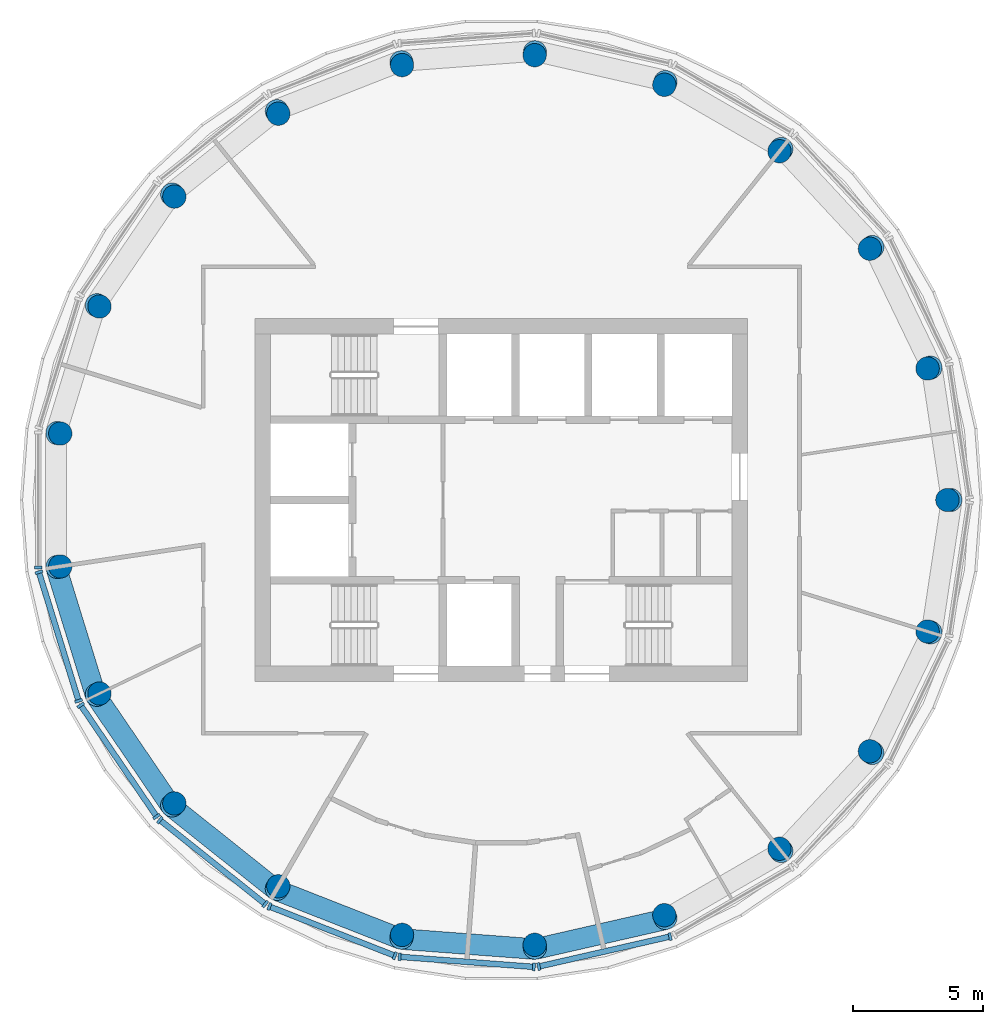
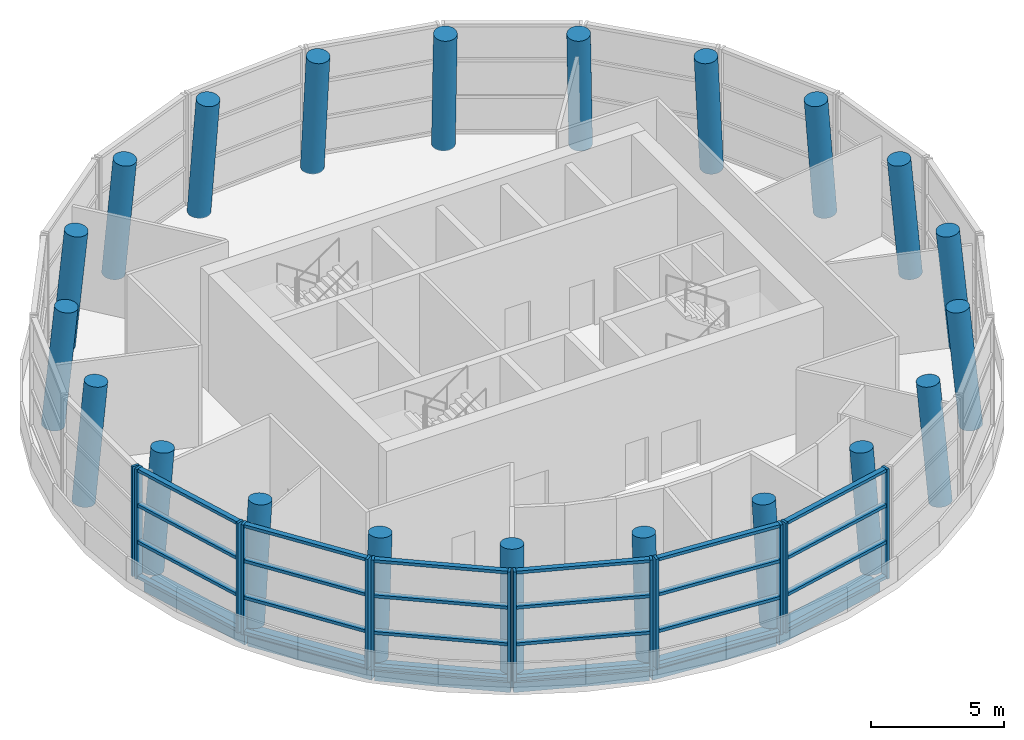
# One storey, part 1 of 11: 37 members, 21 columns, 6 beams, 7 elements without a shape of their own.
"""IFC4 building model written with IfcOpenShell, lengths in metres."""

from ifc_helpers import new_model, si_unit, direction, frame, origin, origin_2d, place, context, subcontext, project, spatial, rectangle, circle, extrude, material, material_profile, profile_set, type_object, element, aggregate, save


model = new_model("IFC4")

# Units and contexts
model_context = context("Model", 3, precision=1e-05, world=origin(), true_north=direction((0.0, 1.0)))
body_context = subcontext(model_context, "Body", "Model", "MODEL_VIEW")
ifc_project = project(units=[si_unit("LENGTHUNIT", "METRE"), si_unit("AREAUNIT", "SQUARE_METRE"), si_unit("VOLUMEUNIT", "CUBIC_METRE"), si_unit("PLANEANGLEUNIT", "RADIAN"), si_unit("MASSUNIT", "GRAM", prefix="KILO")], contexts=[model_context])

# Site, building, storey
site_placement = place(None, origin())
site = spatial("IfcSite", under=ifc_project, at=site_placement, CompositionType="ELEMENT")
building_placement = place(site_placement, origin())
building = spatial("IfcBuilding", under=site, at=building_placement, Name="Tracery Tower", CompositionType="ELEMENT")
storey_placement = place(building_placement, frame((0.0, 0.0, 346.800048828125)))
storey = spatial("IfcBuildingStorey", under=building, at=storey_placement, Name="L89", CompositionType="ELEMENT", Elevation=346.800048828125)

# Columns
ifc_material_1 = material(Name="Concrete C40/50", Category="concrete")
ifc_material_profile_1 = material_profile(ifc_material_1, circle(Radius=0.449951171875, at=origin_2d()), Name="RC D900")
ifc_profile_set_1 = profile_set([ifc_material_profile_1], Name="Concrete C40/50")
column_type = type_object("IfcColumnType", Name="Ring 2 column 900", PredefinedType="COLUMN", material=ifc_profile_set_1)
column_1_placement = place(storey_placement, frame((17.322265625, 0.0, 0.0), z_axis=(-0.092225509473, 0.0, 0.995738146001), x_axis=(0.0, -1.0, 0.0)))
element("IfcColumn", 1, at=column_1_placement, inside=storey, type_object=column_type, Name="Ring 2 column 00 at L89", PredefinedType="COLUMN", context=body_context, shape_type="SweptSolid", body=[
    extrude(circle(Radius=0.449951171875, at=origin_2d()), origin(), (0.0, 0.0, 1.0), 5.4189453125),
])
column_2_placement = place(storey_placement, frame((16.552490234375, 5.105712890625, 0.0), z_axis=(-0.088080951743, -0.027167679745, 0.995742769553), x_axis=(0.294738376575, -0.955577987071, 0.0)))
element("IfcColumn", 2, at=column_2_placement, inside=storey, type_object=column_type, Name="Ring 2 column 01 at L89", PredefinedType="COLUMN", context=body_context, shape_type="SweptSolid", body=[
    extrude(circle(Radius=0.449951171875, at=origin_2d()), origin(), (0.0, 0.0, 1.0), 5.418701171875),
])
for number, where, z_axis, x_axis, name in (
    (3, (14.312255859375, 9.7578125, 0.0), (-0.076186570657, -0.051902382849, 0.995741808455), (0.563018314806, -0.826444418695, 0.0), "Ring 2 column 02 at L89"),
    (4, (10.80029296875, 13.54296875, 0.0), (-0.057489004838, -0.072086526443, 0.995740200568), (0.781821340609, -0.623502519136, 0.0), "Ring 2 column 03 at L89"),
    (5, (6.32861328125, 16.124755859375, 0.0), (-0.033700439038, -0.085827989796, 0.995739843823), (0.930816807588, -0.36548607458, 0.0), "Ring 2 column 04 at L89"),
):
    element("IfcColumn", number, at=place(storey_placement, frame(where, z_axis=z_axis, x_axis=x_axis)), inside=storey, type_object=column_type, Name=name, PredefinedType="COLUMN", context=body_context, shape_type="SweptSolid", body=[
        extrude(circle(Radius=0.449951171875, at=origin_2d()), origin(), (0.0, 0.0, 1.0), 5.4189453125),
    ])
column_3_placement = place(storey_placement, frame((1.29443359375, 17.273681640625, 0.0), z_axis=(-0.006893296248, -0.091910616643, 0.995743401191), x_axis=(0.997199309888, -0.074789948242, 0.0)))
element("IfcColumn", 6, at=column_3_placement, inside=storey, type_object=column_type, Name="Ring 2 column 05 at L89", PredefinedType="COLUMN", context=body_context, shape_type="SweptSolid", body=[
    extrude(circle(Radius=0.449951171875, at=origin_2d()), origin(), (0.0, 0.0, 1.0), 5.418701171875),
])
for number, where, z_axis, x_axis, name in (
    (7, (-3.8544921875, 16.887939453125, 0.0), (0.020499629384, -0.089882990378, 0.995741338519), (0.974964553526, 0.222360336769, 0.0), "Ring 2 column 06 at L89"),
    (8, (-8.6611328125, 15.00146484375, 0.0), (0.046090400637, -0.079835962785, 0.99574188122), (0.866039090965, 0.499976292358, 0.0), "Ring 2 column 07 at L89"),
):
    element("IfcColumn", number, at=place(storey_placement, frame(where, z_axis=z_axis, x_axis=x_axis)), inside=storey, type_object=column_type, Name=name, PredefinedType="COLUMN", context=body_context, shape_type="SweptSolid", body=[
        extrude(circle(Radius=0.449951171875, at=origin_2d()), origin(), (0.0, 0.0, 1.0), 5.4189453125),
    ])
column_4_placement = place(storey_placement, frame((-12.697998046875, 11.781982421875, 0.0), z_axis=(0.067581344547, -0.06267043351, 0.99574353055), x_axis=(0.679963457393, 0.733246000064, 0.0)))
element("IfcColumn", 9, at=column_4_placement, inside=storey, type_object=column_type, Name="Ring 2 column 08 at L89", PredefinedType="COLUMN", context=body_context, shape_type="SweptSolid", body=[
    extrude(circle(Radius=0.449951171875, at=origin_2d()), origin(), (0.0, 0.0, 1.0), 5.418701171875),
])
column_5_placement = place(storey_placement, frame((-15.606689453125, 7.515869140625, 0.0), z_axis=(0.083079662364, -0.040007993589, 0.995739489099), x_axis=(0.433874380106, 0.900973374905, 0.0)))
element("IfcColumn", 10, at=column_5_placement, inside=storey, type_object=column_type, Name="Ring 2 column 09 at L89", PredefinedType="COLUMN", context=body_context, shape_type="SweptSolid", body=[
    extrude(circle(Radius=0.449951171875, at=origin_2d()), origin(), (0.0, 0.0, 1.0), 5.4189453125),
])
for number, where, z_axis, x_axis, name in (
    (11, (-17.128662109375, 2.581787109375, 0.0), (0.091144644422, -0.013741530672, 0.995742850403), (0.149081366419, 0.988824932021, 0.0), "Ring 2 column 10 at L89"),
    (12, (-17.128662109375, -2.581787109375, 0.0), (0.091144644422, 0.013741530672, 0.995742850403), (-0.149081366419, 0.988824932021, 0.0), "Ring 2 column 11 at L89"),
):
    element("IfcColumn", number, at=place(storey_placement, frame(where, z_axis=z_axis, x_axis=x_axis)), inside=storey, type_object=column_type, Name=name, PredefinedType="COLUMN", context=body_context, shape_type="SweptSolid", body=[
        extrude(circle(Radius=0.449951171875, at=origin_2d()), origin(), (0.0, 0.0, 1.0), 5.418701171875),
    ])
column_6_placement = place(storey_placement, frame((-15.606689453125, -7.515869140625, 0.0), z_axis=(0.083079662364, 0.040007993589, 0.995739489099), x_axis=(-0.433874380106, 0.900973374905, 0.0)))
element("IfcColumn", 13, at=column_6_placement, inside=storey, type_object=column_type, Name="Ring 2 column 12 at L89", PredefinedType="COLUMN", context=body_context, shape_type="SweptSolid", body=[
    extrude(circle(Radius=0.449951171875, at=origin_2d()), origin(), (0.0, 0.0, 1.0), 5.4189453125),
])
column_7_placement = place(storey_placement, frame((-12.697998046875, -11.781982421875, 0.0), z_axis=(0.067581344547, 0.06267043351, 0.99574353055), x_axis=(-0.679963457393, 0.733246000064, 0.0)))
element("IfcColumn", 14, at=column_7_placement, inside=storey, type_object=column_type, Name="Ring 2 column 13 at L89", PredefinedType="COLUMN", context=body_context, shape_type="SweptSolid", body=[
    extrude(circle(Radius=0.449951171875, at=origin_2d()), origin(), (0.0, 0.0, 1.0), 5.418701171875),
])
for number, where, z_axis, x_axis, name in (
    (15, (-8.6611328125, -15.00146484375, 0.0), (0.046090400637, 0.079835962785, 0.99574188122), (-0.866039090965, 0.499976292358, 0.0), "Ring 2 column 14 at L89"),
    (16, (-3.8544921875, -16.887939453125, 0.0), (0.020499629384, 0.089882990378, 0.995741338519), (-0.974964553526, 0.222360336769, 0.0), "Ring 2 column 15 at L89"),
):
    element("IfcColumn", number, at=place(storey_placement, frame(where, z_axis=z_axis, x_axis=x_axis)), inside=storey, type_object=column_type, Name=name, PredefinedType="COLUMN", context=body_context, shape_type="SweptSolid", body=[
        extrude(circle(Radius=0.449951171875, at=origin_2d()), origin(), (0.0, 0.0, 1.0), 5.4189453125),
    ])
column_8_placement = place(storey_placement, frame((1.29443359375, -17.273681640625, 0.0), z_axis=(-0.006893296248, 0.091910616643, 0.995743401191), x_axis=(-0.997199309888, -0.074789948242, 0.0)))
element("IfcColumn", 17, at=column_8_placement, inside=storey, type_object=column_type, Name="Ring 2 column 16 at L89", PredefinedType="COLUMN", context=body_context, shape_type="SweptSolid", body=[
    extrude(circle(Radius=0.449951171875, at=origin_2d()), origin(), (0.0, 0.0, 1.0), 5.418701171875),
])
for number, where, z_axis, x_axis, name in (
    (18, (6.32861328125, -16.124755859375, 0.0), (-0.033700439038, 0.085827989796, 0.995739843823), (-0.930816807588, -0.36548607458, 0.0), "Ring 2 column 17 at L89"),
    (19, (10.80029296875, -13.54296875, 0.0), (-0.057489004838, 0.072086526443, 0.995740200568), (-0.781821340609, -0.623502519136, 0.0), "Ring 2 column 18 at L89"),
    (20, (14.312255859375, -9.7578125, 0.0), (-0.076186570657, 0.051902382849, 0.995741808455), (-0.563018314806, -0.826444418695, 0.0), "Ring 2 column 19 at L89"),
):
    element("IfcColumn", number, at=place(storey_placement, frame(where, z_axis=z_axis, x_axis=x_axis)), inside=storey, type_object=column_type, Name=name, PredefinedType="COLUMN", context=body_context, shape_type="SweptSolid", body=[
        extrude(circle(Radius=0.449951171875, at=origin_2d()), origin(), (0.0, 0.0, 1.0), 5.4189453125),
    ])
column_9_placement = place(storey_placement, frame((16.552490234375, -5.105712890625, 0.0), z_axis=(-0.088080951743, 0.027167679745, 0.995742769553), x_axis=(-0.294738376575, -0.955577987071, 0.0)))
element("IfcColumn", 21, at=column_9_placement, inside=storey, type_object=column_type, Name="Ring 2 column 20 at L89", PredefinedType="COLUMN", context=body_context, shape_type="SweptSolid", body=[
    extrude(circle(Radius=0.449951171875, at=origin_2d()), origin(), (0.0, 0.0, 1.0), 5.418701171875),
])

# Curtain wall, member
ifc_material_2 = material(Name="Aluminium curtain wall with tinted glass", Category="aluminium")
curtain_wall_type = type_object("IfcCurtainWallType", Name="Observation lower deck glazing curtain wall", PredefinedType="NOTDEFINED", material=ifc_material_2)
curtain_wall_1_placement = place(storey_placement, origin())
curtain_wall_1 = element("IfcCurtainWall", 22, at=curtain_wall_1_placement, inside=storey, type_object=curtain_wall_type, Name="Observation lower deck glazing run 10", PredefinedType="NOTDEFINED")
ifc_material_3 = material(Name="Aluminium, bronze anodised", Category="aluminium")
ifc_material_profile_2 = material_profile(ifc_material_3, rectangle(XDim=0.300048828125, YDim=0.110107421875, at=origin_2d()), Name="Observation lower deck glazing mullion 110 x 300")
ifc_profile_set_2 = profile_set([ifc_material_profile_2], Name="Aluminium, bronze anodised")
member_type_1 = type_object("IfcMemberType", Name="Observation lower deck glazing mullion 110 x 300", PredefinedType="MULLION", material=ifc_profile_set_2)
member_1_placement = place(storey_placement, frame((-17.870361328125, -2.598388671875, 0.0), z_axis=(0.0, 0.0, 1.0), x_axis=(1.0, 0.0, 0.0)))
member_1 = element("IfcMember", 23, at=member_1_placement, type_object=member_type_1, Name="CWB4 mullion 2", PredefinedType="MULLION", context=body_context, shape_type="SweptSolid", body=[
    extrude(rectangle(XDim=0.300048828125, YDim=0.110107421875, at=origin_2d()), origin(), (0.0, 0.0, 1.0), 5.050048828125),
])
aggregate(curtain_wall_1, [member_1])

# Curtain wall, members
curtain_wall_2_placement = place(storey_placement, origin())
curtain_wall_2 = element("IfcCurtainWall", 24, at=curtain_wall_2_placement, inside=storey, type_object=curtain_wall_type, Name="Observation lower deck glazing run 11", PredefinedType="NOTDEFINED")
member_2_placement = place(storey_placement, frame((-17.84228515625, -2.7841796875, 0.0), z_axis=(0.0, 0.0, 1.0), x_axis=(0.95557221572, 0.29475708735, 0.0)))
member_2 = element("IfcMember", 25, at=member_2_placement, type_object=member_type_1, Name="CWB4 mullion 1", PredefinedType="MULLION", context=body_context, shape_type="SweptSolid", body=[
    extrude(rectangle(XDim=0.300048828125, YDim=0.110107421875, at=origin_2d()), origin(), (0.0, 0.0, 1.0), 5.050048828125),
])
member_3_placement = place(storey_placement, frame((-16.310546875, -7.75048828125, 0.0), z_axis=(0.0, 0.0, 1.0), x_axis=(0.95557221572, 0.29475708735, 0.0)))
member_3 = element("IfcMember", 26, at=member_3_placement, type_object=member_type_1, Name="CWB4 mullion 2", PredefinedType="MULLION", context=body_context, shape_type="SweptSolid", body=[
    extrude(rectangle(XDim=0.300048828125, YDim=0.110107421875, at=origin_2d()), origin(), (0.0, 0.0, 1.0), 5.050048828125),
])

curtain_wall_3_placement = place(storey_placement, origin())
curtain_wall_3 = element("IfcCurtainWall", 27, at=curtain_wall_3_placement, inside=storey, type_object=curtain_wall_type, Name="Observation lower deck glazing run 12", PredefinedType="NOTDEFINED")
member_4_placement = place(storey_placement, frame((-16.22900390625, -7.919677734375, 0.0), z_axis=(0.0, 0.0, 1.0), x_axis=(0.826236511609, 0.563323376832, 0.0)))
member_4 = element("IfcMember", 28, at=member_4_placement, type_object=member_type_1, Name="CWB4 mullion 1", PredefinedType="MULLION", context=body_context, shape_type="SweptSolid", body=[
    extrude(rectangle(XDim=0.300048828125, YDim=0.110107421875, at=origin_2d()), origin(), (0.0, 0.0, 1.0), 5.050048828125),
])
member_5_placement = place(storey_placement, frame((-13.30126953125, -12.2138671875, 0.0), z_axis=(0.0, 0.0, 1.0), x_axis=(0.826236511609, 0.563323376832, 0.0)))
member_5 = element("IfcMember", 29, at=member_5_placement, type_object=member_type_1, Name="CWB4 mullion 2", PredefinedType="MULLION", context=body_context, shape_type="SweptSolid", body=[
    extrude(rectangle(XDim=0.300048828125, YDim=0.110107421875, at=origin_2d()), origin(), (0.0, 0.0, 1.0), 5.050048828125),
])

curtain_wall_4_placement = place(storey_placement, origin())
curtain_wall_4 = element("IfcCurtainWall", 30, at=curtain_wall_4_placement, inside=storey, type_object=curtain_wall_type, Name="Observation lower deck glazing run 13", PredefinedType="NOTDEFINED")
member_6_placement = place(storey_placement, frame((-13.173583984375, -12.3515625, 0.0), z_axis=(0.0, 0.0, 1.0), x_axis=(0.623480980699, 0.781838517027, 0.0)))
member_6 = element("IfcMember", 31, at=member_6_placement, type_object=member_type_1, Name="CWB4 mullion 1", PredefinedType="MULLION", context=body_context, shape_type="SweptSolid", body=[
    extrude(rectangle(XDim=0.300048828125, YDim=0.110107421875, at=origin_2d()), origin(), (0.0, 0.0, 1.0), 5.050048828125),
])
member_7_placement = place(storey_placement, frame((-9.1103515625, -15.591796875, 0.0), z_axis=(0.0, 0.0, 1.0), x_axis=(0.623480980699, 0.781838517027, 0.0)))
member_7 = element("IfcMember", 32, at=member_7_placement, type_object=member_type_1, Name="CWB4 mullion 2", PredefinedType="MULLION", context=body_context, shape_type="SweptSolid", body=[
    extrude(rectangle(XDim=0.300048828125, YDim=0.110107421875, at=origin_2d()), origin(), (0.0, 0.0, 1.0), 5.050048828125),
])

curtain_wall_5_placement = place(storey_placement, origin())
curtain_wall_5 = element("IfcCurtainWall", 33, at=curtain_wall_5_placement, inside=storey, type_object=curtain_wall_type, Name="Observation lower deck glazing run 14", PredefinedType="NOTDEFINED")
member_8_placement = place(storey_placement, frame((-8.94775390625, -15.685791015625, 0.0), z_axis=(0.0, 0.0, 1.0), x_axis=(0.365343371728, 0.930872827369, 0.0)))
member_8 = element("IfcMember", 34, at=member_8_placement, type_object=member_type_1, Name="CWB4 mullion 1", PredefinedType="MULLION", context=body_context, shape_type="SweptSolid", body=[
    extrude(rectangle(XDim=0.300048828125, YDim=0.110107421875, at=origin_2d()), origin(), (0.0, 0.0, 1.0), 5.050048828125),
])
member_9_placement = place(storey_placement, frame((-4.10986328125, -17.58447265625, 0.0), z_axis=(0.0, 0.0, 1.0), x_axis=(0.365343371728, 0.930872827369, 0.0)))
member_9 = element("IfcMember", 35, at=member_9_placement, type_object=member_type_1, Name="CWB4 mullion 2", PredefinedType="MULLION", context=body_context, shape_type="SweptSolid", body=[
    extrude(rectangle(XDim=0.300048828125, YDim=0.110107421875, at=origin_2d()), origin(), (0.0, 0.0, 1.0), 5.050048828125),
])

curtain_wall_6_placement = place(storey_placement, origin())
curtain_wall_6 = element("IfcCurtainWall", 36, at=curtain_wall_6_placement, inside=storey, type_object=curtain_wall_type, Name="Observation lower deck glazing run 15", PredefinedType="NOTDEFINED")
member_10_placement = place(storey_placement, frame((-3.9267578125, -17.626220703125, 0.0), z_axis=(0.0, 0.0, 1.0), x_axis=(0.074730924986, 0.997203734876, 0.0)))
member_10 = element("IfcMember", 37, at=member_10_placement, type_object=member_type_1, Name="CWB4 mullion 1", PredefinedType="MULLION", context=body_context, shape_type="SweptSolid", body=[
    extrude(rectangle(XDim=0.300048828125, YDim=0.110107421875, at=origin_2d()), origin(), (0.0, 0.0, 1.0), 5.050048828125),
])
member_11_placement = place(storey_placement, frame((1.255859375, -18.0146484375, 0.0), z_axis=(0.0, 0.0, 1.0), x_axis=(0.074730924986, 0.997203734876, 0.0)))
member_11 = element("IfcMember", 38, at=member_11_placement, type_object=member_type_1, Name="CWB4 mullion 2", PredefinedType="MULLION", context=body_context, shape_type="SweptSolid", body=[
    extrude(rectangle(XDim=0.300048828125, YDim=0.110107421875, at=origin_2d()), origin(), (0.0, 0.0, 1.0), 5.050048828125),
])

curtain_wall_7_placement = place(storey_placement, origin())
curtain_wall_7 = element("IfcCurtainWall", 39, at=curtain_wall_7_placement, inside=storey, type_object=curtain_wall_type, Name="Observation lower deck glazing run 16", PredefinedType="NOTDEFINED")
member_12_placement = place(storey_placement, frame((1.443115234375, -18.00048828125, 0.0), z_axis=(0.0, 0.0, 1.0), x_axis=(-0.222533159769, 0.974925121639, 0.0)))
member_12 = element("IfcMember", 40, at=member_12_placement, type_object=member_type_1, Name="CWB4 mullion 1", PredefinedType="MULLION", context=body_context, shape_type="SweptSolid", body=[
    extrude(rectangle(XDim=0.300048828125, YDim=0.110107421875, at=origin_2d()), origin(), (0.0, 0.0, 1.0), 5.050048828125),
])
member_13_placement = place(storey_placement, frame((6.509765625, -16.843994140625, 0.0), z_axis=(0.0, 0.0, 1.0), x_axis=(-0.222533159769, 0.974925121639, 0.0)))
member_13 = element("IfcMember", 41, at=member_13_placement, type_object=member_type_1, Name="CWB4 mullion 2", PredefinedType="MULLION", context=body_context, shape_type="SweptSolid", body=[
    extrude(rectangle(XDim=0.300048828125, YDim=0.110107421875, at=origin_2d()), origin(), (0.0, 0.0, 1.0), 5.050048828125),
])

# Member
ifc_material_4 = material(Name="Aluminium, bronze anodised", Category="aluminium")
ifc_material_profile_3 = material_profile(ifc_material_4, rectangle(XDim=0.219970703125, YDim=0.139892578125, at=origin_2d()), Name="Observation lower deck glazing transom 140 x 220")
ifc_profile_set_3 = profile_set([ifc_material_profile_3], Name="Aluminium, bronze anodised")
member_type_2 = type_object("IfcMemberType", Name="Observation lower deck glazing transom 140 x 220", PredefinedType="USERDEFINED", material=ifc_profile_set_3)
member_14_placement = place(storey_placement, frame((-17.826171875, -2.8369140625, 0.070068359375), z_axis=(0.29476700144, -0.955569157551, 0.0), x_axis=(0.955569157551, 0.29476700144, 0.0)))
member_14 = element("IfcMember", 42, at=member_14_placement, type_object=member_type_2, Name="CWB4 transom 1.1", ObjectType="TRANSOM", PredefinedType="USERDEFINED", context=body_context, shape_type="SweptSolid", body=[
    extrude(rectangle(XDim=0.219970703125, YDim=0.139892578125, at=origin_2d()), origin(), (0.0, 0.0, 1.0), 5.087158203125),
])

member_15_placement = place(storey_placement, frame((-17.826171875, -2.8369140625, 1.683349609375), z_axis=(0.29476700144, -0.955569157551, 0.0), x_axis=(0.955569157551, 0.29476700144, 0.0)))
member_15 = element("IfcMember", 43, at=member_15_placement, type_object=member_type_2, Name="CWB4 transom 1.2", ObjectType="TRANSOM", PredefinedType="USERDEFINED", context=body_context, shape_type="SweptSolid", body=[
    extrude(rectangle(XDim=0.219970703125, YDim=0.139892578125, at=origin_2d()), origin(), (0.0, 0.0, 1.0), 5.087158203125),
])

member_16_placement = place(storey_placement, frame((-17.826171875, -2.8369140625, 3.36669921875), z_axis=(0.29476700144, -0.955569157551, 0.0), x_axis=(0.955569157551, 0.29476700144, 0.0)))
member_16 = element("IfcMember", 44, at=member_16_placement, type_object=member_type_2, Name="CWB4 transom 1.3", ObjectType="TRANSOM", PredefinedType="USERDEFINED", context=body_context, shape_type="SweptSolid", body=[
    extrude(rectangle(XDim=0.219970703125, YDim=0.139892578125, at=origin_2d()), origin(), (0.0, 0.0, 1.0), 5.087158203125),
])

member_17_placement = place(storey_placement, frame((-17.826171875, -2.8369140625, 4.97998046875), z_axis=(0.29476700144, -0.955569157551, 0.0), x_axis=(0.955569157551, 0.29476700144, 0.0)))
member_17 = element("IfcMember", 45, at=member_17_placement, type_object=member_type_2, Name="CWB4 transom 1.4", ObjectType="TRANSOM", PredefinedType="USERDEFINED", context=body_context, shape_type="SweptSolid", body=[
    extrude(rectangle(XDim=0.219970703125, YDim=0.139892578125, at=origin_2d()), origin(), (0.0, 0.0, 1.0), 5.087158203125),
])

aggregate(curtain_wall_2, [member_2, member_3, member_14, member_15, member_16, member_17])

member_18_placement = place(storey_placement, frame((-16.197998046875, -7.965087890625, 0.070068359375), z_axis=(0.563330867925, -0.826231404174, 0.0), x_axis=(0.826231404174, 0.563330867925, 0.0)))
member_18 = element("IfcMember", 46, at=member_18_placement, type_object=member_type_2, Name="CWB4 transom 1.1", ObjectType="TRANSOM", PredefinedType="USERDEFINED", context=body_context, shape_type="SweptSolid", body=[
    extrude(rectangle(XDim=0.219970703125, YDim=0.139892578125, at=origin_2d()), origin(), (0.0, 0.0, 1.0), 5.087158203125),
])

member_19_placement = place(storey_placement, frame((-16.197998046875, -7.965087890625, 1.683349609375), z_axis=(0.563330867925, -0.826231404174, 0.0), x_axis=(0.826231404174, 0.563330867925, 0.0)))
member_19 = element("IfcMember", 47, at=member_19_placement, type_object=member_type_2, Name="CWB4 transom 1.2", ObjectType="TRANSOM", PredefinedType="USERDEFINED", context=body_context, shape_type="SweptSolid", body=[
    extrude(rectangle(XDim=0.219970703125, YDim=0.139892578125, at=origin_2d()), origin(), (0.0, 0.0, 1.0), 5.087158203125),
])

member_20_placement = place(storey_placement, frame((-16.197998046875, -7.965087890625, 3.36669921875), z_axis=(0.563330867925, -0.826231404174, 0.0), x_axis=(0.826231404174, 0.563330867925, 0.0)))
member_20 = element("IfcMember", 48, at=member_20_placement, type_object=member_type_2, Name="CWB4 transom 1.3", ObjectType="TRANSOM", PredefinedType="USERDEFINED", context=body_context, shape_type="SweptSolid", body=[
    extrude(rectangle(XDim=0.219970703125, YDim=0.139892578125, at=origin_2d()), origin(), (0.0, 0.0, 1.0), 5.087158203125),
])

member_21_placement = place(storey_placement, frame((-16.197998046875, -7.965087890625, 4.97998046875), z_axis=(0.563330867925, -0.826231404174, 0.0), x_axis=(0.826231404174, 0.563330867925, 0.0)))
member_21 = element("IfcMember", 49, at=member_21_placement, type_object=member_type_2, Name="CWB4 transom 1.4", ObjectType="TRANSOM", PredefinedType="USERDEFINED", context=body_context, shape_type="SweptSolid", body=[
    extrude(rectangle(XDim=0.219970703125, YDim=0.139892578125, at=origin_2d()), origin(), (0.0, 0.0, 1.0), 5.087158203125),
])

aggregate(curtain_wall_3, [member_4, member_5, member_18, member_19, member_20, member_21])

member_22_placement = place(storey_placement, frame((-13.130615234375, -12.3857421875, 0.070068359375), z_axis=(0.781846430905, -0.62347105665, 0.0), x_axis=(0.62347105665, 0.781846430905, 0.0)))
member_22 = element("IfcMember", 50, at=member_22_placement, type_object=member_type_2, Name="CWB4 transom 1.1", ObjectType="TRANSOM", PredefinedType="USERDEFINED", context=body_context, shape_type="SweptSolid", body=[
    extrude(rectangle(XDim=0.219970703125, YDim=0.139892578125, at=origin_2d()), origin(), (0.0, 0.0, 1.0), 5.087158203125),
])

member_23_placement = place(storey_placement, frame((-13.130615234375, -12.3857421875, 1.683349609375), z_axis=(0.781846430905, -0.62347105665, 0.0), x_axis=(0.62347105665, 0.781846430905, 0.0)))
member_23 = element("IfcMember", 51, at=member_23_placement, type_object=member_type_2, Name="CWB4 transom 1.2", ObjectType="TRANSOM", PredefinedType="USERDEFINED", context=body_context, shape_type="SweptSolid", body=[
    extrude(rectangle(XDim=0.219970703125, YDim=0.139892578125, at=origin_2d()), origin(), (0.0, 0.0, 1.0), 5.087158203125),
])

member_24_placement = place(storey_placement, frame((-13.130615234375, -12.3857421875, 3.36669921875), z_axis=(0.781846430905, -0.62347105665, 0.0), x_axis=(0.62347105665, 0.781846430905, 0.0)))
member_24 = element("IfcMember", 52, at=member_24_placement, type_object=member_type_2, Name="CWB4 transom 1.3", ObjectType="TRANSOM", PredefinedType="USERDEFINED", context=body_context, shape_type="SweptSolid", body=[
    extrude(rectangle(XDim=0.219970703125, YDim=0.139892578125, at=origin_2d()), origin(), (0.0, 0.0, 1.0), 5.087158203125),
])

member_25_placement = place(storey_placement, frame((-13.130615234375, -12.3857421875, 4.97998046875), z_axis=(0.781846430905, -0.62347105665, 0.0), x_axis=(0.62347105665, 0.781846430905, 0.0)))
member_25 = element("IfcMember", 53, at=member_25_placement, type_object=member_type_2, Name="CWB4 transom 1.4", ObjectType="TRANSOM", PredefinedType="USERDEFINED", context=body_context, shape_type="SweptSolid", body=[
    extrude(rectangle(XDim=0.219970703125, YDim=0.139892578125, at=origin_2d()), origin(), (0.0, 0.0, 1.0), 5.087158203125),
])

aggregate(curtain_wall_4, [member_6, member_7, member_22, member_23, member_24, member_25])

member_26_placement = place(storey_placement, frame((-8.896484375, -15.705810546875, 0.070068359375), z_axis=(0.930879772026, -0.365325676668, 0.0), x_axis=(0.365325676668, 0.930879772026, 0.0)))
member_26 = element("IfcMember", 54, at=member_26_placement, type_object=member_type_2, Name="CWB4 transom 1.1", ObjectType="TRANSOM", PredefinedType="USERDEFINED", context=body_context, shape_type="SweptSolid", body=[
    extrude(rectangle(XDim=0.219970703125, YDim=0.139892578125, at=origin_2d()), origin(), (0.0, 0.0, 1.0), 5.0869140625),
])

member_27_placement = place(storey_placement, frame((-8.896484375, -15.705810546875, 1.683349609375), z_axis=(0.930879772026, -0.365325676668, 0.0), x_axis=(0.365325676668, 0.930879772026, 0.0)))
member_27 = element("IfcMember", 55, at=member_27_placement, type_object=member_type_2, Name="CWB4 transom 1.2", ObjectType="TRANSOM", PredefinedType="USERDEFINED", context=body_context, shape_type="SweptSolid", body=[
    extrude(rectangle(XDim=0.219970703125, YDim=0.139892578125, at=origin_2d()), origin(), (0.0, 0.0, 1.0), 5.0869140625),
])

member_28_placement = place(storey_placement, frame((-8.896484375, -15.705810546875, 3.36669921875), z_axis=(0.930879772026, -0.365325676668, 0.0), x_axis=(0.365325676668, 0.930879772026, 0.0)))
member_28 = element("IfcMember", 56, at=member_28_placement, type_object=member_type_2, Name="CWB4 transom 1.3", ObjectType="TRANSOM", PredefinedType="USERDEFINED", context=body_context, shape_type="SweptSolid", body=[
    extrude(rectangle(XDim=0.219970703125, YDim=0.139892578125, at=origin_2d()), origin(), (0.0, 0.0, 1.0), 5.0869140625),
])

member_29_placement = place(storey_placement, frame((-8.896484375, -15.705810546875, 4.97998046875), z_axis=(0.930879772026, -0.365325676668, 0.0), x_axis=(0.365325676668, 0.930879772026, 0.0)))
member_29 = element("IfcMember", 57, at=member_29_placement, type_object=member_type_2, Name="CWB4 transom 1.4", ObjectType="TRANSOM", PredefinedType="USERDEFINED", context=body_context, shape_type="SweptSolid", body=[
    extrude(rectangle(XDim=0.219970703125, YDim=0.139892578125, at=origin_2d()), origin(), (0.0, 0.0, 1.0), 5.0869140625),
])

aggregate(curtain_wall_5, [member_8, member_9, member_26, member_27, member_28, member_29])

member_30_placement = place(storey_placement, frame((-3.871826171875, -17.63037109375, 0.070068359375), z_axis=(0.997204139945, -0.074725519583, 0.0), x_axis=(0.074725519583, 0.997204139945, 0.0)))
member_30 = element("IfcMember", 58, at=member_30_placement, type_object=member_type_2, Name="CWB4 transom 1.1", ObjectType="TRANSOM", PredefinedType="USERDEFINED", context=body_context, shape_type="SweptSolid", body=[
    extrude(rectangle(XDim=0.219970703125, YDim=0.139892578125, at=origin_2d()), origin(), (0.0, 0.0, 1.0), 5.0869140625),
])

member_31_placement = place(storey_placement, frame((-3.871826171875, -17.63037109375, 1.683349609375), z_axis=(0.997204139945, -0.074725519583, 0.0), x_axis=(0.074725519583, 0.997204139945, 0.0)))
member_31 = element("IfcMember", 59, at=member_31_placement, type_object=member_type_2, Name="CWB4 transom 1.2", ObjectType="TRANSOM", PredefinedType="USERDEFINED", context=body_context, shape_type="SweptSolid", body=[
    extrude(rectangle(XDim=0.219970703125, YDim=0.139892578125, at=origin_2d()), origin(), (0.0, 0.0, 1.0), 5.0869140625),
])

member_32_placement = place(storey_placement, frame((-3.871826171875, -17.63037109375, 3.36669921875), z_axis=(0.997204139945, -0.074725519583, 0.0), x_axis=(0.074725519583, 0.997204139945, 0.0)))
member_32 = element("IfcMember", 60, at=member_32_placement, type_object=member_type_2, Name="CWB4 transom 1.3", ObjectType="TRANSOM", PredefinedType="USERDEFINED", context=body_context, shape_type="SweptSolid", body=[
    extrude(rectangle(XDim=0.219970703125, YDim=0.139892578125, at=origin_2d()), origin(), (0.0, 0.0, 1.0), 5.0869140625),
])

member_33_placement = place(storey_placement, frame((-3.871826171875, -17.63037109375, 4.97998046875), z_axis=(0.997204139945, -0.074725519583, 0.0), x_axis=(0.074725519583, 0.997204139945, 0.0)))
member_33 = element("IfcMember", 61, at=member_33_placement, type_object=member_type_2, Name="CWB4 transom 1.4", ObjectType="TRANSOM", PredefinedType="USERDEFINED", context=body_context, shape_type="SweptSolid", body=[
    extrude(rectangle(XDim=0.219970703125, YDim=0.139892578125, at=origin_2d()), origin(), (0.0, 0.0, 1.0), 5.0869140625),
])

aggregate(curtain_wall_6, [member_10, member_11, member_30, member_31, member_32, member_33])

member_34_placement = place(storey_placement, frame((1.496826171875, -17.98828125, 0.070068359375), z_axis=(0.974923101148, 0.222542011422, 0.0), x_axis=(-0.222542011422, 0.974923101148, 0.0)))
member_34 = element("IfcMember", 62, at=member_34_placement, type_object=member_type_2, Name="CWB4 transom 1.1", ObjectType="TRANSOM", PredefinedType="USERDEFINED", context=body_context, shape_type="SweptSolid", body=[
    extrude(rectangle(XDim=0.219970703125, YDim=0.139892578125, at=origin_2d()), origin(), (0.0, 0.0, 1.0), 5.087158203125),
])

member_35_placement = place(storey_placement, frame((1.496826171875, -17.98828125, 1.683349609375), z_axis=(0.974923101148, 0.222542011422, 0.0), x_axis=(-0.222542011422, 0.974923101148, 0.0)))
member_35 = element("IfcMember", 63, at=member_35_placement, type_object=member_type_2, Name="CWB4 transom 1.2", ObjectType="TRANSOM", PredefinedType="USERDEFINED", context=body_context, shape_type="SweptSolid", body=[
    extrude(rectangle(XDim=0.219970703125, YDim=0.139892578125, at=origin_2d()), origin(), (0.0, 0.0, 1.0), 5.087158203125),
])

member_36_placement = place(storey_placement, frame((1.496826171875, -17.98828125, 3.36669921875), z_axis=(0.974923101148, 0.222542011422, 0.0), x_axis=(-0.222542011422, 0.974923101148, 0.0)))
member_36 = element("IfcMember", 64, at=member_36_placement, type_object=member_type_2, Name="CWB4 transom 1.3", ObjectType="TRANSOM", PredefinedType="USERDEFINED", context=body_context, shape_type="SweptSolid", body=[
    extrude(rectangle(XDim=0.219970703125, YDim=0.139892578125, at=origin_2d()), origin(), (0.0, 0.0, 1.0), 5.087158203125),
])

member_37_placement = place(storey_placement, frame((1.496826171875, -17.98828125, 4.97998046875), z_axis=(0.974923101148, 0.222542011422, 0.0), x_axis=(-0.222542011422, 0.974923101148, 0.0)))
member_37 = element("IfcMember", 65, at=member_37_placement, type_object=member_type_2, Name="CWB4 transom 1.4", ObjectType="TRANSOM", PredefinedType="USERDEFINED", context=body_context, shape_type="SweptSolid", body=[
    extrude(rectangle(XDim=0.219970703125, YDim=0.139892578125, at=origin_2d()), origin(), (0.0, 0.0, 1.0), 5.087158203125),
])

aggregate(curtain_wall_7, [member_12, member_13, member_34, member_35, member_36, member_37])

# Beams
ifc_material_5 = material(Name="Concrete C40/50", Category="concrete")
ifc_material_profile_4 = material_profile(ifc_material_5, rectangle(XDim=0.800048828125, YDim=0.449951171875, at=origin_2d()), Name="RC 800x450")
ifc_profile_set_4 = profile_set([ifc_material_profile_4], Name="Concrete C40/50")
beam_type = type_object("IfcBeamType", Name="Perimeter band beam 800x450", PredefinedType="BEAM", material=ifc_profile_set_4)
beam_1_placement = place(storey_placement, frame((-17.181396484375, -2.589599609375, -0.574951171875), z_axis=(0.29475156458, -0.955573919264, 0.0), x_axis=(0.955573919264, 0.29475156458, 0.0)))
element("IfcBeam", 66, at=beam_1_placement, inside=storey, type_object=beam_type, Name="Perimeter beam 2.11 under L89", PredefinedType="BEAM", context=body_context, shape_type="SweptSolid", body=[
    extrude(rectangle(XDim=0.800048828125, YDim=0.449951171875, at=origin_2d()), origin(), (0.0, 0.0, 1.0), 5.17919921875),
])
beam_2_placement = place(storey_placement, frame((-15.65478515625, -7.538818359375, -0.574951171875), z_axis=(0.563317810687, -0.826240306547, 0.0), x_axis=(0.826240306547, 0.563317810687, 0.0)))
element("IfcBeam", 67, at=beam_2_placement, inside=storey, type_object=beam_type, Name="Perimeter beam 2.12 under L89", PredefinedType="BEAM", context=body_context, shape_type="SweptSolid", body=[
    extrude(rectangle(XDim=0.800048828125, YDim=0.449951171875, at=origin_2d()), origin(), (0.0, 0.0, 1.0), 5.179443359375),
])
for number, where, z_axis, x_axis, name in (
    (68, (-12.737060546875, -11.818359375, -0.574951171875), (0.781829038244, -0.623492866806, 0.0), (0.623492866806, 0.781829038244, 0.0), "Perimeter beam 2.13 under L89"),
    (69, (-8.687744140625, -15.047607421875, -0.574951171875), (0.93088206632, -0.365319830564, 0.0), (0.365319830564, 0.93088206632, 0.0), "Perimeter beam 2.14 under L89"),
):
    element("IfcBeam", number, at=place(storey_placement, frame(where, z_axis=z_axis, x_axis=x_axis)), inside=storey, type_object=beam_type, Name=name, PredefinedType="BEAM", context=body_context, shape_type="SweptSolid", body=[
        extrude(rectangle(XDim=0.800048828125, YDim=0.449951171875, at=origin_2d()), origin(), (0.0, 0.0, 1.0), 5.17919921875),
    ])
beam_3_placement = place(storey_placement, frame((-3.866455078125, -16.939697265625, -0.574951171875), z_axis=(0.997201770128, -0.074757137806, 0.0), x_axis=(0.074757137806, 0.997201770128, 0.0)))
element("IfcBeam", 70, at=beam_3_placement, inside=storey, type_object=beam_type, Name="Perimeter beam 2.15 under L89", PredefinedType="BEAM", context=body_context, shape_type="SweptSolid", body=[
    extrude(rectangle(XDim=0.800048828125, YDim=0.449951171875, at=origin_2d()), origin(), (0.0, 0.0, 1.0), 5.179443359375),
])
beam_4_placement = place(storey_placement, frame((1.298583984375, -17.326904296875, -0.574951171875), z_axis=(0.974923121287, 0.222541923199, 0.0), x_axis=(-0.222541923199, 0.974923121287, 0.0)))
element("IfcBeam", 71, at=beam_4_placement, inside=storey, type_object=beam_type, Name="Perimeter beam 2.16 under L89", PredefinedType="BEAM", context=body_context, shape_type="SweptSolid", body=[
    extrude(rectangle(XDim=0.800048828125, YDim=0.449951171875, at=origin_2d()), origin(), (0.0, 0.0, 1.0), 5.17919921875),
])

save(model, "model.ifc")
